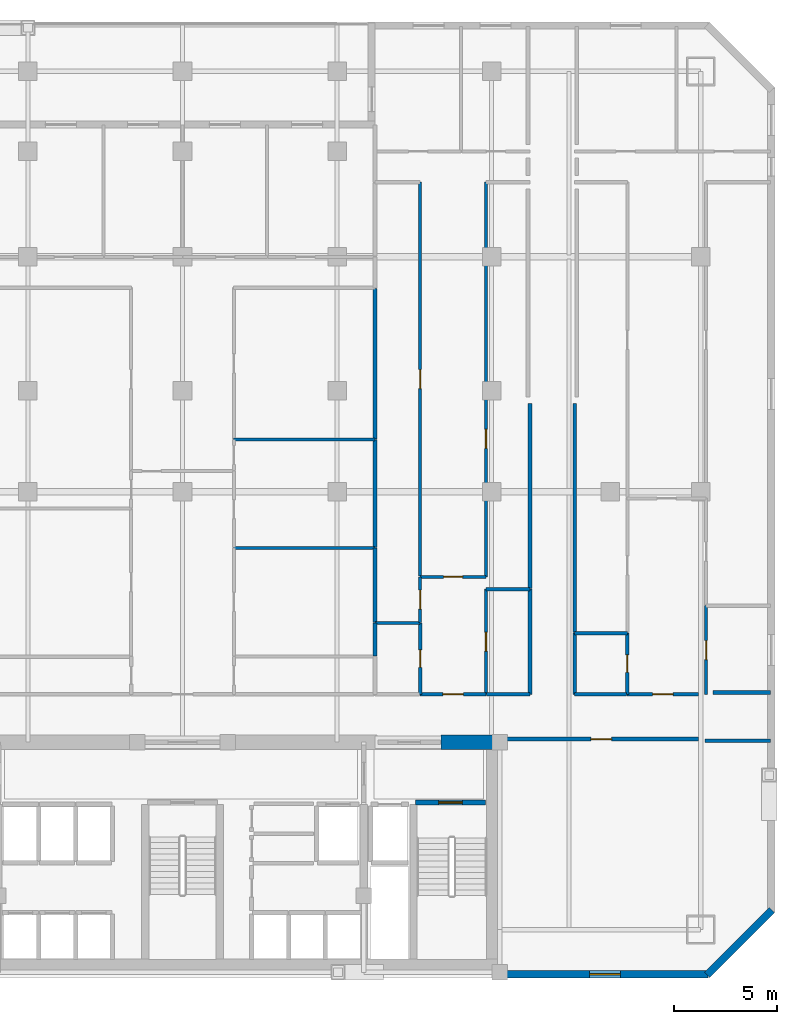
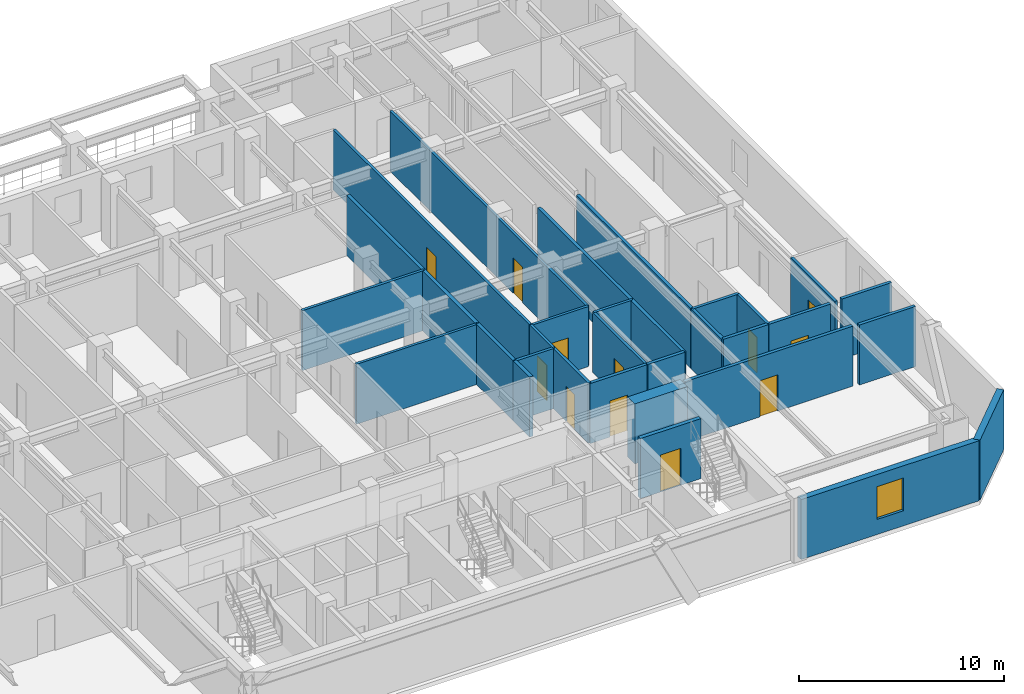
# One storey, part 6 of 10: 32 walls, 12 doors, 1 window, 13 openings.
"""IFC4 building model written with IfcOpenShell, lengths in metres."""

from ifc_helpers import new_model, si_unit, direction, frame, frame_2d, origin, place, context, subcontext, project, spatial, rectangle, extrude, material, layer, layer_set, type_object, element, fill, save


model = new_model("IFC4")

# Units and contexts
model_context = context("Model", 3, precision=1e-05, world=origin(), true_north=direction((0.0, 1.0)))
body_context = subcontext(model_context, "Body", "Model", "MODEL_VIEW")
ifc_project = project(units=[si_unit("LENGTHUNIT", "METRE"), si_unit("AREAUNIT", "SQUARE_METRE"), si_unit("VOLUMEUNIT", "CUBIC_METRE"), si_unit("PLANEANGLEUNIT", "RADIAN"), si_unit("MASSUNIT", "GRAM", prefix="KILO")], contexts=[model_context])

# Site, building, storey
site_placement = place(None, origin())
site = spatial("IfcSite", under=ifc_project, at=site_placement, CompositionType="ELEMENT")
building_placement = place(site_placement, origin())
building = spatial("IfcBuilding", under=site, at=building_placement, Name="Ventersveld Concourse Tower", CompositionType="ELEMENT")
storey_placement = place(building_placement, frame((0.0, 0.0, 72.14990234375)))
storey = spatial("IfcBuildingStorey", under=building, at=storey_placement, Name="L17", CompositionType="ELEMENT", Elevation=72.14990234375)

# Wall
ifc_material_1 = material(Name="Concrete C60/75", Category="concrete")
ifc_layer_1 = layer(ifc_material_1, 0.699951171875)
ifc_layer_set_1 = layer_set([ifc_layer_1], Name="Concrete C60/75")
wall_type_1 = type_object("IfcWallType", Name="WL-CORE-700", PredefinedType="SHEAR", material=ifc_layer_set_1)
wall_1_placement = place(storey_placement, frame((41.300048828125, 11.449951171875, 0.0), z_axis=(0.0, 0.0, 1.0), x_axis=(1.0, 0.0, 0.0)))
element("IfcWall", 1, at=wall_1_placement, inside=storey, type_object=wall_type_1, Name="L17 Rear Core North Shear Wall NE", PredefinedType="SHEAR", context=body_context, shape_type="SweptSolid", body=[
    extrude(rectangle(XDim=2.949951171875, YDim=0.699951171875, at=frame_2d((1.47509765625, 0.0))), origin(), (0.0, 0.0, 1.0), 3.570068359375),
])

# Wall, opening, door
ifc_material_2 = material(Name="Fire-rated autoclaved aerated masonry blockwork", Category="masonry")
ifc_layer_2 = layer(ifc_material_2, 0.179931640625)
ifc_layer_set_2 = layer_set([ifc_layer_2], Name="Fire-rated autoclaved aerated masonry blockwork")
wall_type_2 = type_object("IfcWallType", Name="WL-CORR-180", PredefinedType="PARTITIONING", material=ifc_layer_set_2)
wall_2_placement = place(storey_placement, frame((44.35498046875, 11.60009765625, 0.0), z_axis=(0.0, 0.0, 1.0), x_axis=(1.0, 0.0, 0.0)))
wall_2 = element("IfcWall", 2, at=wall_2_placement, inside=storey, type_object=wall_type_2, Name="L17 Interior Partition SP-L17-SE-OFF-SP-L17-COR", PredefinedType="PARTITIONING", context=body_context, shape_type="SweptSolid", body=[
    extrude(rectangle(XDim=9.43994140625, YDim=0.179931640625, at=frame_2d((4.719970703125, 0.0))), origin(), (0.0, 0.0, 1.0), 3.570068359375),
])
opening_1_placement = place(wall_2_placement, frame((4.219970703125, 0.0, 0.0)))
opening_1 = element("IfcOpeningElement", 3, at=opening_1_placement, cuts=wall_2, Name="Opening FD3", PredefinedType="OPENING", context=body_context, shape_type="SweptSolid", body=[
    extrude(rectangle(XDim=1.0, YDim=2.14990234375, at=frame_2d((0.5, 1.074951171875))), frame((0.0, 0.10009765625, 0.0), z_axis=(0.0, -1.0, 0.0), x_axis=(1.0, 0.0, 0.0)), (0.0, 0.0, 1.0), 0.199951171875),
])
ifc_material_3 = material(Name="Solid-core hardwood veneer timber", Category="wood")
door_type_1 = type_object("IfcDoorType", Name="DR-FLAT-100", OperationType="NOTDEFINED", PredefinedType="DOOR", material=ifc_material_3)
door_1_placement = place(opening_1_placement, origin())
door_1 = element("IfcDoor", 4, at=door_1_placement, inside=storey, type_object=door_type_1, Name="L17 Interior Door SP-L17-SE-OFF to SP-L17-COR (D-L17-0779)", OperationType="SINGLE_SWING_LEFT", OverallHeight=2.14990234375, OverallWidth=1.0, PredefinedType="DOOR", context=body_context, shape_type="SweptSolid", body=[
    extrude(rectangle(XDim=1.0, YDim=2.14990234375, at=frame_2d((0.5, 1.074951171875))), frame((0.0, 0.02490234375, 0.0), z_axis=(0.0, -1.0, 0.0), x_axis=(1.0, 0.0, 0.0)), (0.0, 0.0, 1.0), 0.050048828125),
])
fill(opening_1, door_1)

wall_3_placement = place(storey_placement, frame((50.33203125, 13.77001953125, 0.0), z_axis=(0.0, 0.0, 1.0), x_axis=(1.0, 0.0, 0.0)))
wall_3 = element("IfcWall", 5, at=wall_3_placement, inside=storey, type_object=wall_type_2, Name="L17 Interior Partition SP-L17-COR-SP-L17-17NE-FOY", PredefinedType="PARTITIONING", context=body_context, shape_type="SweptSolid", body=[
    extrude(rectangle(XDim=3.462890625, YDim=0.179931640625, at=frame_2d((1.7314453125, 0.0))), origin(), (0.0, 0.0, 1.0), 3.570068359375),
])
opening_2_placement = place(wall_3_placement, frame((1.2314453125, 0.0, 0.0)))
opening_2 = element("IfcOpeningElement", 6, at=opening_2_placement, cuts=wall_3, Name="Opening FD3", PredefinedType="OPENING", context=body_context, shape_type="SweptSolid", body=[
    extrude(rectangle(XDim=1.0, YDim=2.14990234375, at=frame_2d((0.5, 1.074951171875))), frame((0.0, 0.10009765625, 0.0), z_axis=(0.0, -1.0, 0.0), x_axis=(1.0, 0.0, 0.0)), (0.0, 0.0, 1.0), 0.199951171875),
])
door_2_placement = place(opening_2_placement, origin())
door_2 = element("IfcDoor", 7, at=door_2_placement, inside=storey, type_object=door_type_1, Name="L17 Interior Door SP-L17-COR to SP-L17-17NE-FOY (FD-L17-0781)", OperationType="SINGLE_SWING_LEFT", OverallHeight=2.14990234375, OverallWidth=1.0, PredefinedType="DOOR", context=body_context, shape_type="SweptSolid", body=[
    extrude(rectangle(XDim=1.0, YDim=2.14990234375, at=frame_2d((0.5, 1.074951171875))), frame((0.0, 0.02490234375, 0.0), z_axis=(0.0, -1.0, 0.0), x_axis=(1.0, 0.0, 0.0)), (0.0, 0.0, 1.0), 0.050048828125),
])
fill(opening_2, door_2)

# Walls
wall_4_placement = place(storey_placement, frame((47.7900390625, 13.764892578125, 0.0), z_axis=(0.0, 0.0, 1.0), x_axis=(0.0, 1.0, 0.0)))
element("IfcWall", 8, at=wall_4_placement, inside=storey, type_object=wall_type_2, Name="L17 Interior Partition SP-L17-COR-SP-L17-17NE-BATH", PredefinedType="PARTITIONING", context=body_context, shape_type="SweptSolid", body=[
    extrude(rectangle(XDim=2.978271484375, YDim=0.179931640625, at=frame_2d((1.4892578125, 0.0))), origin(), (0.0, 0.0, 1.0), 3.570068359375),
])
wall_5_placement = place(storey_placement, frame((47.784912109375, 13.77001953125, 0.0), z_axis=(0.0, 0.0, 1.0), x_axis=(1.0, 0.0, 0.0)))
element("IfcWall", 9, at=wall_5_placement, inside=storey, type_object=wall_type_2, Name="L17 Interior Partition SP-L17-COR-SP-L17-17NE-BATH", PredefinedType="PARTITIONING", context=body_context, shape_type="SweptSolid", body=[
    extrude(rectangle(XDim=2.51708984375, YDim=0.179931640625, at=frame_2d((1.258544921875, 0.0))), origin(), (0.0, 0.0, 1.0), 3.570068359375),
])
wall_6_placement = place(storey_placement, frame((47.7900390625, 16.773193359375, 0.0), z_axis=(0.0, 0.0, 1.0), x_axis=(0.0, 1.0, 0.0)))
element("IfcWall", 10, at=wall_6_placement, inside=storey, type_object=wall_type_2, Name="L17 Interior Partition SP-L17-COR-SP-L17-17NE-MEDL0", PredefinedType="PARTITIONING", context=body_context, shape_type="SweptSolid", body=[
    extrude(rectangle(XDim=11.121826171875, YDim=0.179931640625, at=frame_2d((5.56103515625, 0.0))), origin(), (0.0, 0.0, 1.0), 3.570068359375),
])

# Wall, opening, door
wall_7_placement = place(storey_placement, frame((40.27734375, 13.77001953125, 0.0), z_axis=(0.0, 0.0, 1.0), x_axis=(1.0, 0.0, 0.0)))
wall_7 = element("IfcWall", 11, at=wall_7_placement, inside=storey, type_object=wall_type_2, Name="L17 Interior Partition SP-L17-COR-SP-L17-17CE-FOY", PredefinedType="PARTITIONING", context=body_context, shape_type="SweptSolid", body=[
    extrude(rectangle(XDim=3.206298828125, YDim=0.179931640625, at=frame_2d((1.60302734375, 0.0))), origin(), (0.0, 0.0, 1.0), 3.570068359375),
])
opening_3_placement = place(wall_7_placement, frame((1.103271484375, 0.0, 0.0)))
opening_3 = element("IfcOpeningElement", 12, at=opening_3_placement, cuts=wall_7, Name="Opening FD3", PredefinedType="OPENING", context=body_context, shape_type="SweptSolid", body=[
    extrude(rectangle(XDim=1.0, YDim=2.14990234375, at=frame_2d((0.5, 1.074951171875))), frame((0.0, 0.10009765625, 0.0), z_axis=(0.0, -1.0, 0.0), x_axis=(1.0, 0.0, 0.0)), (0.0, 0.0, 1.0), 0.199951171875),
])
door_3_placement = place(opening_3_placement, origin())
door_3 = element("IfcDoor", 13, at=door_3_placement, inside=storey, type_object=door_type_1, Name="L17 Interior Door SP-L17-COR to SP-L17-17CE-FOY (FD-L17-0783)", OperationType="SINGLE_SWING_LEFT", OverallHeight=2.14990234375, OverallWidth=1.0, PredefinedType="DOOR", context=body_context, shape_type="SweptSolid", body=[
    extrude(rectangle(XDim=1.0, YDim=2.14990234375, at=frame_2d((0.5, 1.074951171875))), frame((0.0, 0.02490234375, 0.0), z_axis=(0.0, -1.0, 0.0), x_axis=(1.0, 0.0, 0.0)), (0.0, 0.0, 1.0), 0.050048828125),
])
fill(opening_3, door_3)

# Walls
wall_8_placement = place(storey_placement, frame((45.610107421875, 13.764892578125, 0.0), z_axis=(0.0, 0.0, 1.0), x_axis=(0.0, 1.0, 0.0)))
element("IfcWall", 14, at=wall_8_placement, inside=storey, type_object=wall_type_2, Name="L17 Interior Partition SP-L17-COR-SP-L17-17CE-KIT", PredefinedType="PARTITIONING", context=body_context, shape_type="SweptSolid", body=[
    extrude(rectangle(XDim=5.10986328125, YDim=0.179931640625, at=frame_2d((2.554931640625, 0.0))), origin(), (0.0, 0.0, 1.0), 3.570068359375),
])
wall_9_placement = place(storey_placement, frame((43.513671875, 13.77001953125, 0.0), z_axis=(0.0, 0.0, 1.0), x_axis=(1.0, 0.0, 0.0)))
element("IfcWall", 15, at=wall_9_placement, inside=storey, type_object=wall_type_2, Name="L17 Interior Partition SP-L17-COR-SP-L17-17CE-KIT", PredefinedType="PARTITIONING", context=body_context, shape_type="SweptSolid", body=[
    extrude(rectangle(XDim=2.101318359375, YDim=0.179931640625, at=frame_2d((1.05078125, 0.0))), origin(), (0.0, 0.0, 1.0), 3.570068359375),
])
wall_10_placement = place(storey_placement, frame((45.610107421875, 18.90478515625, 0.0), z_axis=(0.0, 0.0, 1.0), x_axis=(0.0, 1.0, 0.0)))
element("IfcWall", 16, at=wall_10_placement, inside=storey, type_object=wall_type_2, Name="L17 Interior Partition SP-L17-COR-SP-L17-17CE-DENR", PredefinedType="PARTITIONING", context=body_context, shape_type="SweptSolid", body=[
    extrude(rectangle(XDim=8.990234375, YDim=0.179931640625, at=frame_2d((4.4951171875, 0.0))), origin(), (0.0, 0.0, 1.0), 3.570068359375),
])
wall_11_placement = place(storey_placement, frame((54.1123046875, 11.52001953125, 0.0), z_axis=(0.0, 0.0, 1.0), x_axis=(1.0, 0.0, 0.0)))
element("IfcWall", 17, at=wall_11_placement, inside=storey, type_object=wall_type_2, Name="L17 Room Enclosure Wall SP-L17-SE-OFF", PredefinedType="PARTITIONING", context=body_context, shape_type="SweptSolid", body=[
    extrude(rectangle(XDim=3.177734375, YDim=0.179931640625, at=frame_2d((1.5888671875, 0.0))), origin(), (0.0, 0.0, 1.0), 3.570068359375),
])
wall_12_placement = place(storey_placement, frame((57.2900390625, 13.860107421875, 0.0), z_axis=(0.0, 0.0, 1.0), x_axis=(-1.0, 0.0, 0.0)))
element("IfcWall", 18, at=wall_12_placement, inside=storey, type_object=wall_type_2, Name="L17 Room Enclosure Wall SP-L17-17NE-KIT", PredefinedType="PARTITIONING", context=body_context, shape_type="SweptSolid", body=[
    extrude(rectangle(XDim=2.805908203125, YDim=0.179931640625, at=frame_2d((1.40283203125, 0.0))), origin(), (0.0, 0.0, 1.0), 3.570068359375),
])
ifc_layer_3 = layer(ifc_material_2, 0.199951171875)
ifc_layer_set_3 = layer_set([ifc_layer_3], Name="Fire-rated autoclaved aerated masonry blockwork")
wall_type_3 = type_object("IfcWallType", Name="WL-DEMISE-200", PredefinedType="PARTITIONING", material=ifc_layer_set_3)
wall_13_placement = place(storey_placement, frame((38.090087890625, 15.635009765625, 0.0), z_axis=(0.0, 0.0, 1.0), x_axis=(0.0, 1.0, 0.0)))
element("IfcWall", 19, at=wall_13_placement, inside=storey, type_object=wall_type_3, Name="L17 Interior Partition SP-L17-17CE-BATH-SP-L17-17CM-DENR", PredefinedType="PARTITIONING", context=body_context, shape_type="SweptSolid", body=[
    extrude(rectangle(XDim=1.599853515625, YDim=0.199951171875, at=frame_2d((0.7998046875, 0.0))), origin(), (0.0, 0.0, 1.0), 3.570068359375),
])
wall_14_placement = place(storey_placement, frame((38.090087890625, 17.264892578125, 0.0), z_axis=(0.0, 0.0, 1.0), x_axis=(0.0, 1.0, 0.0)))
element("IfcWall", 20, at=wall_14_placement, inside=storey, type_object=wall_type_3, Name="L17 Interior Partition SP-L17-17CE-SEML0-SP-L17-17CM-DENR", PredefinedType="PARTITIONING", context=body_context, shape_type="SweptSolid", body=[
    extrude(rectangle(XDim=3.603759765625, YDim=0.199951171875, at=frame_2d((1.8017578125, 0.0))), origin(), (0.0, 0.0, 1.0), 3.570068359375),
])
wall_15_placement = place(storey_placement, frame((38.090087890625, 20.898681640625, 0.0), z_axis=(0.0, 0.0, 1.0), x_axis=(0.0, 1.0, 0.0)))
element("IfcWall", 21, at=wall_15_placement, inside=storey, type_object=wall_type_3, Name="L17 Interior Partition SP-L17-17CE-SEML0-SP-L17-17CM-DENS", PredefinedType="PARTITIONING", context=body_context, shape_type="SweptSolid", body=[
    extrude(rectangle(XDim=5.233642578125, YDim=0.199951171875, at=frame_2d((2.61669921875, 0.0))), origin(), (0.0, 0.0, 1.0), 3.570068359375),
])
wall_16_placement = place(storey_placement, frame((38.090087890625, 26.162353515625, 0.0), z_axis=(0.0, 0.0, 1.0), x_axis=(0.0, 1.0, 0.0)))
element("IfcWall", 22, at=wall_16_placement, inside=storey, type_object=wall_type_3, Name="L17 Interior Partition SP-L17-17CE-SEML0-SP-L17-17CM-DENS2", PredefinedType="PARTITIONING", context=body_context, shape_type="SweptSolid", body=[
    extrude(rectangle(XDim=7.302734375, YDim=0.199951171875, at=frame_2d((3.6513671875, 0.0))), origin(), (0.0, 0.0, 1.0), 3.570068359375),
])

# Wall, opening, door
ifc_layer_4 = layer(ifc_material_2, 0.219970703125)
ifc_layer_set_4 = layer_set([ifc_layer_4], Name="Fire-rated autoclaved aerated masonry blockwork")
wall_type_4 = type_object("IfcWallType", Name="WL-HOIST-220", PredefinedType="SOLIDWALL", material=ifc_layer_set_4)
wall_17_placement = place(storey_placement, frame((40.06005859375, 8.52001953125, 0.0), z_axis=(0.0, 0.0, 1.0), x_axis=(1.0, 0.0, 0.0)))
wall_17 = element("IfcWall", 23, at=wall_17_placement, inside=storey, type_object=wall_type_4, Name="L17 Escape Stair ST02 Fire Wall", PredefinedType="SOLIDWALL", context=body_context, shape_type="SweptSolid", body=[
    extrude(rectangle(XDim=3.39990234375, YDim=0.219970703125, at=frame_2d((1.699951171875, 0.0))), origin(), (0.0, 0.0, 1.0), 3.570068359375),
])
opening_4_placement = place(wall_17_placement, frame((1.125, 0.0, 0.0)))
opening_4 = element("IfcOpeningElement", 24, at=opening_4_placement, cuts=wall_17, Name="Opening FD1", PredefinedType="OPENING", context=body_context, shape_type="SweptSolid", body=[
    extrude(rectangle(XDim=1.14990234375, YDim=2.199951171875, at=frame_2d((0.574951171875, 1.10009765625))), frame((0.0, 0.1201171875, 0.0), z_axis=(0.0, -1.0, 0.0), x_axis=(1.0, 0.0, 0.0)), (0.0, 0.0, 1.0), 0.239990234375),
])
ifc_material_4 = material(Name="Galvanised painted steel", Category="steel")
door_type_2 = type_object("IfcDoorType", Name="DR-STAIR-115", OperationType="NOTDEFINED", PredefinedType="DOOR", material=ifc_material_4)
door_4_placement = place(opening_4_placement, origin())
door_4 = element("IfcDoor", 25, at=door_4_placement, inside=storey, type_object=door_type_2, Name="L17 Escape Stair Door ST02 (SD-L17-0768)", OperationType="SINGLE_SWING_RIGHT", OverallHeight=2.199951171875, OverallWidth=1.14990234375, PredefinedType="DOOR", context=body_context, shape_type="SweptSolid", body=[
    extrude(rectangle(XDim=1.14990234375, YDim=2.199951171875, at=frame_2d((0.574951171875, 1.10009765625))), frame((0.0, 0.02490234375, 0.0), z_axis=(0.0, -1.0, 0.0), x_axis=(1.0, 0.0, 0.0)), (0.0, 0.0, 1.0), 0.050048828125),
])
fill(opening_4, door_4)

ifc_material_5 = material(Name="Autoclaved aerated masonry blockwork", Category="masonry")
ifc_layer_5 = layer(ifc_material_5, 0.14990234375)
ifc_layer_set_5 = layer_set([ifc_layer_5], Name="Autoclaved aerated masonry blockwork")
wall_type_5 = type_object("IfcWallType", Name="WL-INT-150", PredefinedType="PARTITIONING", material=ifc_layer_set_5)
wall_18_placement = place(storey_placement, frame((54.1591796875, 13.764892578125, 0.0), z_axis=(0.0, 0.0, 1.0), x_axis=(0.0, 1.0, 0.0)))
wall_18 = element("IfcWall", 26, at=wall_18_placement, inside=storey, type_object=wall_type_5, Name="L17 Interior Partition SP-L17-17NE-FOY-SP-L17-17NE-KIT", PredefinedType="PARTITIONING", context=body_context, shape_type="SweptSolid", body=[
    extrude(rectangle(XDim=4.30859375, YDim=0.14990234375, at=frame_2d((2.154296875, 0.0))), origin(), (0.0, 0.0, 1.0), 3.570068359375),
])
opening_5_placement = place(wall_18_placement, frame((1.6943359375, 0.0, 0.0)))
opening_5 = element("IfcOpeningElement", 27, at=opening_5_placement, cuts=wall_18, Name="Opening ID1", PredefinedType="OPENING", context=body_context, shape_type="SweptSolid", body=[
    extrude(rectangle(XDim=0.919921875, YDim=2.10009765625, at=frame_2d((0.4599609375, 1.050048828125))), frame((0.0, 0.0849609375, 0.0), z_axis=(0.0, -1.0, 0.0), x_axis=(1.0, 0.0, 0.0)), (0.0, 0.0, 1.0), 0.169921875),
])
door_type_3 = type_object("IfcDoorType", Name="DR-ROOM-092", OperationType="NOTDEFINED", PredefinedType="DOOR", material=ifc_material_3)
door_5_placement = place(opening_5_placement, origin())
door_5 = element("IfcDoor", 28, at=door_5_placement, inside=storey, type_object=door_type_3, Name="L17 Interior Door SP-L17-17NE-FOY to SP-L17-17NE-KIT (D-L17-0798)", OperationType="SINGLE_SWING_RIGHT", OverallHeight=2.10009765625, OverallWidth=0.919921875, PredefinedType="DOOR", context=body_context, shape_type="SweptSolid", body=[
    extrude(rectangle(XDim=0.919921875, YDim=2.10009765625, at=frame_2d((0.4599609375, 1.050048828125))), frame((0.0, 0.02490234375, 0.0), z_axis=(0.0, -1.0, 0.0), x_axis=(1.0, 0.0, 0.0)), (0.0, 0.0, 1.0), 0.050048828125),
])
fill(opening_5, door_5)

wall_19_placement = place(storey_placement, frame((40.27734375, 19.468505859375, 0.0), z_axis=(0.0, 0.0, 1.0), x_axis=(1.0, 0.0, 0.0)))
wall_19 = element("IfcWall", 29, at=wall_19_placement, inside=storey, type_object=wall_type_5, Name="L17 Interior Partition SP-L17-17CE-FOY-SP-L17-17CE-LIV", PredefinedType="PARTITIONING", context=body_context, shape_type="SweptSolid", body=[
    extrude(rectangle(XDim=3.206298828125, YDim=0.14990234375, at=frame_2d((1.60302734375, 0.0))), origin(), (0.0, 0.0, 1.0), 3.570068359375),
])
opening_6_placement = place(wall_19_placement, frame((1.143310546875, 0.0, 0.0)))
opening_6 = element("IfcOpeningElement", 30, at=opening_6_placement, cuts=wall_19, Name="Opening ID1", PredefinedType="OPENING", context=body_context, shape_type="SweptSolid", body=[
    extrude(rectangle(XDim=0.919921875, YDim=2.10009765625, at=frame_2d((0.4599609375, 1.050048828125))), frame((0.0, 0.0849609375, 0.0), z_axis=(0.0, -1.0, 0.0), x_axis=(1.0, 0.0, 0.0)), (0.0, 0.0, 1.0), 0.169921875),
])
door_6_placement = place(opening_6_placement, origin())
door_6 = element("IfcDoor", 31, at=door_6_placement, inside=storey, type_object=door_type_3, Name="L17 Interior Door SP-L17-17CE-FOY to SP-L17-17CE-LIV (D-L17-0812)", OperationType="SINGLE_SWING_RIGHT", OverallHeight=2.10009765625, OverallWidth=0.919921875, PredefinedType="DOOR", context=body_context, shape_type="SweptSolid", body=[
    extrude(rectangle(XDim=0.919921875, YDim=2.10009765625, at=frame_2d((0.4599609375, 1.050048828125))), frame((0.0, 0.02490234375, 0.0), z_axis=(0.0, -1.0, 0.0), x_axis=(1.0, 0.0, 0.0)), (0.0, 0.0, 1.0), 0.050048828125),
])
fill(opening_6, door_6)

wall_20_placement = place(storey_placement, frame((40.2822265625, 17.264892578125, 0.0), z_axis=(0.0, 0.0, 1.0), x_axis=(0.0, 1.0, 0.0)))
wall_20 = element("IfcWall", 32, at=wall_20_placement, inside=storey, type_object=wall_type_5, Name="L17 Interior Partition SP-L17-17CE-FOY-SP-L17-17CE-SEML0", PredefinedType="PARTITIONING", context=body_context, shape_type="SweptSolid", body=[
    extrude(rectangle(XDim=2.208740234375, YDim=0.14990234375, at=frame_2d((1.1044921875, 0.0))), origin(), (0.0, 0.0, 1.0), 3.570068359375),
])
opening_7_placement = place(wall_20_placement, frame((0.644287109375, 0.0, 0.0)))
opening_7 = element("IfcOpeningElement", 33, at=opening_7_placement, cuts=wall_20, Name="Opening ID1", PredefinedType="OPENING", context=body_context, shape_type="SweptSolid", body=[
    extrude(rectangle(XDim=0.919921875, YDim=2.10009765625, at=frame_2d((0.4599609375, 1.050048828125))), frame((0.0, 0.0849609375, 0.0), z_axis=(0.0, -1.0, 0.0), x_axis=(1.0, 0.0, 0.0)), (0.0, 0.0, 1.0), 0.169921875),
])
door_7_placement = place(opening_7_placement, origin())
door_7 = element("IfcDoor", 34, at=door_7_placement, inside=storey, type_object=door_type_3, Name="L17 Interior Door SP-L17-17CE-FOY to SP-L17-17CE-SEML0 (D-L17-0814)", OperationType="SINGLE_SWING_RIGHT", OverallHeight=2.10009765625, OverallWidth=0.919921875, PredefinedType="DOOR", context=body_context, shape_type="SweptSolid", body=[
    extrude(rectangle(XDim=0.919921875, YDim=2.10009765625, at=frame_2d((0.4599609375, 1.050048828125))), frame((0.0, 0.02490234375, 0.0), z_axis=(0.0, -1.0, 0.0), x_axis=(1.0, 0.0, 0.0)), (0.0, 0.0, 1.0), 0.050048828125),
])
fill(opening_7, door_7)

wall_21_placement = place(storey_placement, frame((43.478759765625, 13.764892578125, 0.0), z_axis=(0.0, 0.0, 1.0), x_axis=(0.0, 1.0, 0.0)))
wall_21 = element("IfcWall", 35, at=wall_21_placement, inside=storey, type_object=wall_type_5, Name="L17 Interior Partition SP-L17-17CE-FOY-SP-L17-17CE-KIT", PredefinedType="PARTITIONING", context=body_context, shape_type="SweptSolid", body=[
    extrude(rectangle(XDim=5.10986328125, YDim=0.14990234375, at=frame_2d((2.554931640625, 0.0))), origin(), (0.0, 0.0, 1.0), 3.570068359375),
])
opening_8_placement = place(wall_21_placement, frame((2.094970703125, 0.0, 0.0)))
opening_8 = element("IfcOpeningElement", 36, at=opening_8_placement, cuts=wall_21, Name="Opening ID1", PredefinedType="OPENING", context=body_context, shape_type="SweptSolid", body=[
    extrude(rectangle(XDim=0.919921875, YDim=2.10009765625, at=frame_2d((0.4599609375, 1.050048828125))), frame((0.0, 0.0849609375, 0.0), z_axis=(0.0, -1.0, 0.0), x_axis=(1.0, 0.0, 0.0)), (0.0, 0.0, 1.0), 0.169921875),
])
door_8_placement = place(opening_8_placement, origin())
door_8 = element("IfcDoor", 37, at=door_8_placement, inside=storey, type_object=door_type_3, Name="L17 Interior Door SP-L17-17CE-FOY to SP-L17-17CE-KIT (D-L17-0815)", OperationType="SINGLE_SWING_LEFT", OverallHeight=2.10009765625, OverallWidth=0.919921875, PredefinedType="DOOR", context=body_context, shape_type="SweptSolid", body=[
    extrude(rectangle(XDim=0.919921875, YDim=2.10009765625, at=frame_2d((0.4599609375, 1.050048828125))), frame((0.0, 0.02490234375, 0.0), z_axis=(0.0, -1.0, 0.0), x_axis=(1.0, 0.0, 0.0)), (0.0, 0.0, 1.0), 0.050048828125),
])
fill(opening_8, door_8)

wall_22_placement = place(storey_placement, frame((40.2822265625, 19.503662109375, 0.0), z_axis=(0.0, 0.0, 1.0), x_axis=(0.0, 1.0, 0.0)))
wall_22 = element("IfcWall", 38, at=wall_22_placement, inside=storey, type_object=wall_type_5, Name="L17 Interior Partition SP-L17-17CE-LIV-SP-L17-17CE-SEML0", PredefinedType="PARTITIONING", context=body_context, shape_type="SweptSolid", body=[
    extrude(rectangle(XDim=19.121337890625, YDim=0.14990234375, at=frame_2d((9.560546875, 0.0))), origin(), (0.0, 0.0, 1.0), 3.570068359375),
])
opening_9_placement = place(wall_22_placement, frame((9.1005859375, 0.0, 0.0)))
opening_9 = element("IfcOpeningElement", 39, at=opening_9_placement, cuts=wall_22, Name="Opening ID1", PredefinedType="OPENING", context=body_context, shape_type="SweptSolid", body=[
    extrude(rectangle(XDim=0.919921875, YDim=2.10009765625, at=frame_2d((0.4599609375, 1.050048828125))), frame((0.0, 0.0849609375, 0.0), z_axis=(0.0, -1.0, 0.0), x_axis=(1.0, 0.0, 0.0)), (0.0, 0.0, 1.0), 0.169921875),
])
door_9_placement = place(opening_9_placement, origin())
door_9 = element("IfcDoor", 40, at=door_9_placement, inside=storey, type_object=door_type_3, Name="L17 Interior Door SP-L17-17CE-LIV to SP-L17-17CE-SEML0 (D-L17-0816)", OperationType="SINGLE_SWING_RIGHT", OverallHeight=2.10009765625, OverallWidth=0.919921875, PredefinedType="DOOR", context=body_context, shape_type="SweptSolid", body=[
    extrude(rectangle(XDim=0.919921875, YDim=2.10009765625, at=frame_2d((0.4599609375, 1.050048828125))), frame((0.0, 0.02490234375, 0.0), z_axis=(0.0, -1.0, 0.0), x_axis=(1.0, 0.0, 0.0)), (0.0, 0.0, 1.0), 0.050048828125),
])
fill(opening_9, door_9)

wall_23_placement = place(storey_placement, frame((43.478759765625, 19.463623046875, 0.0), z_axis=(0.0, 0.0, 1.0), x_axis=(0.0, 1.0, 0.0)))
wall_23 = element("IfcWall", 41, at=wall_23_placement, inside=storey, type_object=wall_type_5, Name="L17 Interior Partition SP-L17-17CE-LIV-SP-L17-17CE-DENR", PredefinedType="PARTITIONING", context=body_context, shape_type="SweptSolid", body=[
    extrude(rectangle(XDim=19.161376953125, YDim=0.14990234375, at=frame_2d((9.58056640625, 0.0))), origin(), (0.0, 0.0, 1.0), 3.570068359375),
])
opening_10_placement = place(wall_23_placement, frame((6.24658203125, 0.0, 0.0)))
opening_10 = element("IfcOpeningElement", 42, at=opening_10_placement, cuts=wall_23, Name="Opening ID1", PredefinedType="OPENING", context=body_context, shape_type="SweptSolid", body=[
    extrude(rectangle(XDim=0.919921875, YDim=2.10009765625, at=frame_2d((0.4599609375, 1.050048828125))), frame((0.0, 0.0849609375, 0.0), z_axis=(0.0, -1.0, 0.0), x_axis=(1.0, 0.0, 0.0)), (0.0, 0.0, 1.0), 0.169921875),
])
door_10_placement = place(opening_10_placement, origin())
door_10 = element("IfcDoor", 43, at=door_10_placement, inside=storey, type_object=door_type_3, Name="L17 Interior Door SP-L17-17CE-LIV to SP-L17-17CE-DENR (D-L17-0817)", OperationType="SINGLE_SWING_LEFT", OverallHeight=2.10009765625, OverallWidth=0.919921875, PredefinedType="DOOR", context=body_context, shape_type="SweptSolid", body=[
    extrude(rectangle(XDim=0.919921875, YDim=2.10009765625, at=frame_2d((0.4599609375, 1.050048828125))), frame((0.0, 0.02490234375, 0.0), z_axis=(0.0, -1.0, 0.0), x_axis=(1.0, 0.0, 0.0)), (0.0, 0.0, 1.0), 0.050048828125),
])
fill(opening_10, door_10)

# Walls
wall_24_placement = place(storey_placement, frame((43.4736328125, 18.869873046875, 0.0), z_axis=(0.0, 0.0, 1.0), x_axis=(1.0, 0.0, 0.0)))
element("IfcWall", 44, at=wall_24_placement, inside=storey, type_object=wall_type_5, Name="L17 Interior Partition SP-L17-17CE-KIT-SP-L17-17CE-DENR", PredefinedType="PARTITIONING", context=body_context, shape_type="SweptSolid", body=[
    extrude(rectangle(XDim=2.141357421875, YDim=0.14990234375, at=frame_2d((1.07080078125, 0.0))), origin(), (0.0, 0.0, 1.0), 3.570068359375),
])
for number, where, z_axis, x_axis, name in (
    (45, (31.235107421875, 20.86376953125, 0.0), (0.0, 0.0, 1.0), (1.0, 0.0, 0.0), "L17 Interior Partition SP-L17-17CM-DENR-SP-L17-17CM-DENS"),
    (46, (31.235107421875, 26.12744140625, 0.0), (0.0, 0.0, 1.0), (1.0, 0.0, 0.0), "L17 Interior Partition SP-L17-17CM-DENS-SP-L17-17CM-DENS2"),
):
    element("IfcWall", number, at=place(storey_placement, frame(where, z_axis=z_axis, x_axis=x_axis)), inside=storey, type_object=wall_type_5, Name=name, PredefinedType="PARTITIONING", context=body_context, shape_type="SweptSolid", body=[
        extrude(rectangle(XDim=6.85986328125, YDim=0.14990234375, at=frame_2d((3.429931640625, 0.0))), origin(), (0.0, 0.0, 1.0), 3.570068359375),
    ])

# Wall, opening, window
ifc_material_6 = material(Name="Precast concrete C45/55", Category="concrete")
ifc_layer_6 = layer(ifc_material_6, 0.35009765625)
ifc_layer_set_6 = layer_set([ifc_layer_6], Name="Precast concrete C45/55")
wall_type_6 = type_object("IfcWallType", Name="WL-PREC-350", PredefinedType="SOLIDWALL", material=ifc_layer_set_6)
wall_25_placement = place(storey_placement, frame((44.25, 0.179931640625, 0.0), z_axis=(0.0, 0.0, 1.0), x_axis=(1.0, 0.0, 0.0)))
wall_25 = element("IfcWall", 47, at=wall_25_placement, inside=storey, type_object=wall_type_6, Name="L17 South-East Flank Precast Wall", PredefinedType="SOLIDWALL", context=body_context, shape_type="SweptSolid", body=[
    extrude(rectangle(XDim=10.010009765625, YDim=0.35009765625, at=frame_2d((5.0048828125, 0.0))), origin(), (0.0, 0.0, 1.0), 3.570068359375),
])
opening_11_placement = place(wall_25_placement, frame((4.2548828125, 0.0, 0.89990234375)))
opening_11 = element("IfcOpeningElement", 48, at=opening_11_placement, cuts=wall_25, Name="Opening W1", PredefinedType="OPENING", context=body_context, shape_type="SweptSolid", body=[
    extrude(rectangle(XDim=1.5, YDim=1.949951171875, at=frame_2d((0.75, 0.97509765625))), frame((0.0, 0.18505859375, 0.0), z_axis=(0.0, -1.0, 0.0), x_axis=(1.0, 0.0, 0.0)), (0.0, 0.0, 1.0), 0.3701171875),
])
ifc_material_7 = material(Name="Tempered acoustic Low-E IGU", Category="glass")
window_type = type_object("IfcWindowType", Name="WIN-150x210", PartitioningType="SINGLE_PANEL", PredefinedType="WINDOW", material=ifc_material_7)
window_placement = place(opening_11_placement, origin())
window = element("IfcWindow", 49, at=window_placement, inside=storey, type_object=window_type, Name="L17 Punched Low-E Window W-0160", OverallHeight=1.949951171875, OverallWidth=1.5, PartitioningType="SINGLE_PANEL", PredefinedType="WINDOW", context=body_context, shape_type="SweptSolid", body=[
    extrude(rectangle(XDim=1.5, YDim=1.949951171875, at=frame_2d((0.75, 0.97509765625))), frame((0.0, 0.030029296875, 0.0), z_axis=(0.0, -1.0, 0.0), x_axis=(1.0, 0.0, 0.0)), (0.0, 0.0, 1.0), 0.06005859375),
])
fill(opening_11, window)

# Wall
wall_26_placement = place(storey_placement, frame((54.20458984375, 0.152099609375, 0.0), z_axis=(0.0, 0.0, 1.0), x_axis=(0.707106781187, 0.707106781187, 0.0)))
element("IfcWall", 50, at=wall_26_placement, inside=storey, type_object=wall_type_6, Name="L17 Highveld Precast Facade Wall E02", PredefinedType="SOLIDWALL", context=body_context, shape_type="SweptSolid", body=[
    extrude(rectangle(XDim=4.4453125, YDim=0.35009765625, at=frame_2d((2.22265625, 0.0))), origin(), (0.0, 0.0, 1.0), 3.570068359375),
])

# Wall, opening, door
ifc_layer_7 = layer(ifc_material_5, 0.1650390625)
ifc_layer_set_7 = layer_set([ifc_layer_7], Name="Autoclaved aerated masonry blockwork")
wall_type_7 = type_object("IfcWallType", Name="WL-WET-165", PredefinedType="PLUMBINGWALL", material=ifc_layer_set_7)
wall_27_placement = place(storey_placement, frame((50.337158203125, 13.764892578125, 0.0), z_axis=(0.0, 0.0, 1.0), x_axis=(0.0, 1.0, 0.0)))
wall_27 = element("IfcWall", 51, at=wall_27_placement, inside=storey, type_object=wall_type_7, Name="L17 Interior Partition SP-L17-17NE-FOY-SP-L17-17NE-BATH", PredefinedType="PLUMBINGWALL", context=body_context, shape_type="SweptSolid", body=[
    extrude(rectangle(XDim=2.978271484375, YDim=0.1650390625, at=frame_2d((1.4892578125, 0.0))), origin(), (0.0, 0.0, 1.0), 3.570068359375),
])
opening_12_placement = place(wall_27_placement, frame((1.064208984375, 0.0, 0.0)))
opening_12 = element("IfcOpeningElement", 52, at=opening_12_placement, cuts=wall_27, Name="Opening ID2", PredefinedType="OPENING", context=body_context, shape_type="SweptSolid", body=[
    extrude(rectangle(XDim=0.85009765625, YDim=2.10009765625, at=frame_2d((0.425048828125, 1.050048828125))), frame((0.0, 0.092529296875, 0.0), z_axis=(0.0, -1.0, 0.0), x_axis=(1.0, 0.0, 0.0)), (0.0, 0.0, 1.0), 0.18505859375),
])
door_type_4 = type_object("IfcDoorType", Name="DR-BATH-085", OperationType="NOTDEFINED", PredefinedType="DOOR", material=ifc_material_3)
door_11_placement = place(opening_12_placement, origin())
door_11 = element("IfcDoor", 53, at=door_11_placement, inside=storey, type_object=door_type_4, Name="L17 Interior Door SP-L17-17NE-FOY to SP-L17-17NE-BATH (D-L17-0796)", OperationType="SINGLE_SWING_RIGHT", OverallHeight=2.10009765625, OverallWidth=0.85009765625, PredefinedType="DOOR", context=body_context, shape_type="SweptSolid", body=[
    extrude(rectangle(XDim=0.85009765625, YDim=2.10009765625, at=frame_2d((0.425048828125, 1.050048828125))), frame((0.0, 0.02490234375, 0.0), z_axis=(0.0, -1.0, 0.0), x_axis=(1.0, 0.0, 0.0)), (0.0, 0.0, 1.0), 0.050048828125),
])
fill(opening_12, door_11)

# Wall
wall_28_placement = place(storey_placement, frame((47.784912109375, 16.73828125, 0.0), z_axis=(0.0, 0.0, 1.0), x_axis=(1.0, 0.0, 0.0)))
element("IfcWall", 54, at=wall_28_placement, inside=storey, type_object=wall_type_7, Name="L17 Interior Partition SP-L17-17NE-BATH-SP-L17-17NE-MEDL0", PredefinedType="PLUMBINGWALL", context=body_context, shape_type="SweptSolid", body=[
    extrude(rectangle(XDim=2.55712890625, YDim=0.1650390625, at=frame_2d((1.278564453125, 0.0))), origin(), (0.0, 0.0, 1.0), 3.570068359375),
])

# Wall, opening, door
wall_29_placement = place(storey_placement, frame((40.2822265625, 13.764892578125, 0.0), z_axis=(0.0, 0.0, 1.0), x_axis=(0.0, 1.0, 0.0)))
wall_29 = element("IfcWall", 55, at=wall_29_placement, inside=storey, type_object=wall_type_7, Name="L17 Interior Partition SP-L17-17CE-FOY-SP-L17-17CE-BATH", PredefinedType="PLUMBINGWALL", context=body_context, shape_type="SweptSolid", body=[
    extrude(rectangle(XDim=3.469970703125, YDim=0.1650390625, at=frame_2d((1.73486328125, 0.0))), origin(), (0.0, 0.0, 1.0), 3.570068359375),
])
opening_13_placement = place(wall_29_placement, frame((1.309814453125, 0.0, 0.0)))
opening_13 = element("IfcOpeningElement", 56, at=opening_13_placement, cuts=wall_29, Name="Opening ID2", PredefinedType="OPENING", context=body_context, shape_type="SweptSolid", body=[
    extrude(rectangle(XDim=0.85009765625, YDim=2.10009765625, at=frame_2d((0.425048828125, 1.050048828125))), frame((0.0, 0.092529296875, 0.0), z_axis=(0.0, -1.0, 0.0), x_axis=(1.0, 0.0, 0.0)), (0.0, 0.0, 1.0), 0.18505859375),
])
door_12_placement = place(opening_13_placement, origin())
door_12 = element("IfcDoor", 57, at=door_12_placement, inside=storey, type_object=door_type_4, Name="L17 Interior Door SP-L17-17CE-FOY to SP-L17-17CE-BATH (D-L17-0813)", OperationType="SINGLE_SWING_LEFT", OverallHeight=2.10009765625, OverallWidth=0.85009765625, PredefinedType="DOOR", context=body_context, shape_type="SweptSolid", body=[
    extrude(rectangle(XDim=0.85009765625, YDim=2.10009765625, at=frame_2d((0.425048828125, 1.050048828125))), frame((0.0, 0.02490234375, 0.0), z_axis=(0.0, -1.0, 0.0), x_axis=(1.0, 0.0, 0.0)), (0.0, 0.0, 1.0), 0.050048828125),
])
fill(opening_13, door_12)

# Wall
wall_30_placement = place(storey_placement, frame((38.0849609375, 17.229736328125, 0.0), z_axis=(0.0, 0.0, 1.0), x_axis=(1.0, 0.0, 0.0)))
element("IfcWall", 58, at=wall_30_placement, inside=storey, type_object=wall_type_7, Name="L17 Interior Partition SP-L17-17CE-BATH-SP-L17-17CE-SEML0", PredefinedType="PLUMBINGWALL", context=body_context, shape_type="SweptSolid", body=[
    extrude(rectangle(XDim=2.202392578125, YDim=0.1650390625, at=frame_2d((1.10107421875, 0.0))), origin(), (0.0, 0.0, 1.0), 3.570068359375),
])

save(model, "model.ifc")
